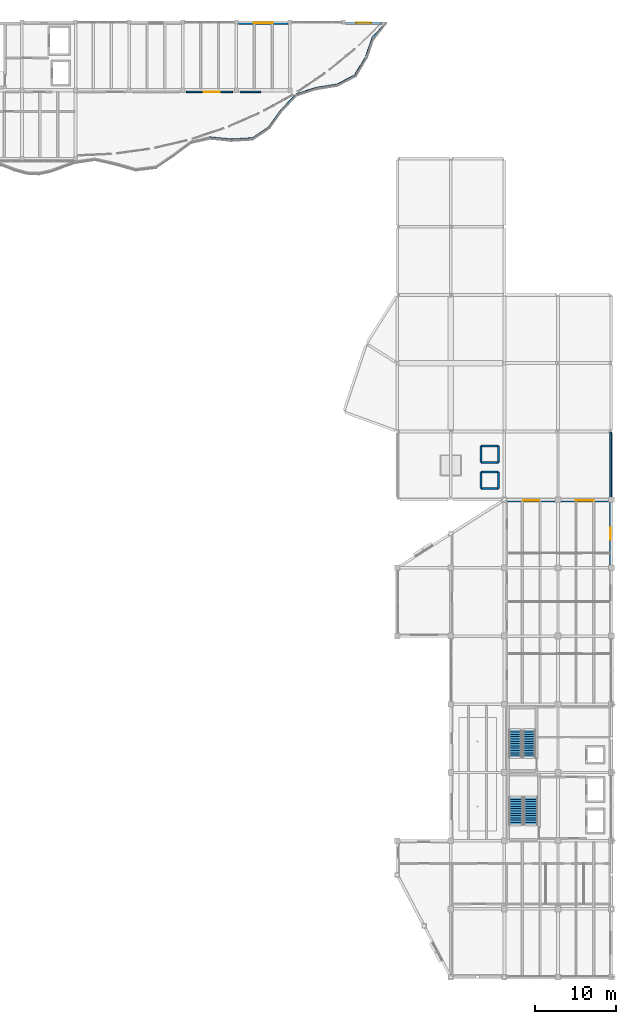
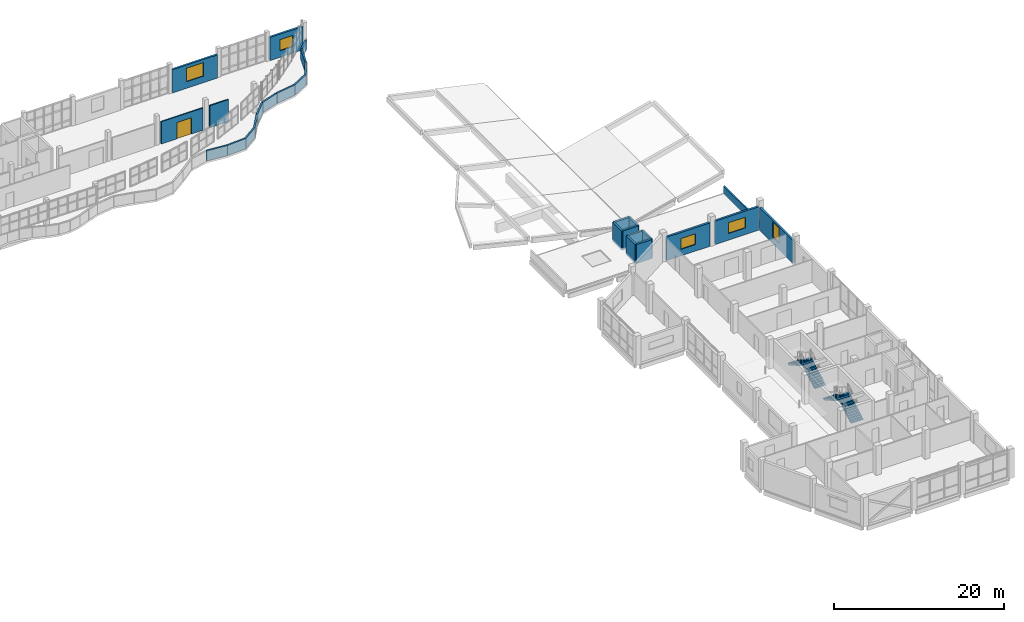
# One storey, part 40 of 47: 27 walls, 5 windows, 4 stair flights, 1 door, 6 openings, 2 elements without a shape of their own.
"""IFC4 building model written with IfcOpenShell, lengths in metres."""

from ifc_helpers import new_model, si_unit, direction, frame, frame_2d, origin, place, context, subcontext, project, spatial, polyline, rectangle, outline, extrude, material, layer, layer_set, type_object, element, fill, aggregate, save


model = new_model("IFC4")

# Units and contexts
model_context = context("Model", 3, precision=1e-05, world=origin(), true_north=direction((0.0, 1.0)))
body_context = subcontext(model_context, "Body", "Model", "MODEL_VIEW")
ifc_project = project(units=[si_unit("LENGTHUNIT", "METRE"), si_unit("AREAUNIT", "SQUARE_METRE"), si_unit("VOLUMEUNIT", "CUBIC_METRE"), si_unit("PLANEANGLEUNIT", "RADIAN"), si_unit("MASSUNIT", "GRAM", prefix="KILO")], contexts=[model_context])

# Site, building, storey
site_placement = place(None, origin())
site = spatial("IfcSite", under=ifc_project, at=site_placement, CompositionType="ELEMENT")
building_placement = place(site_placement, origin())
building = spatial("IfcBuilding", under=site, at=building_placement, Name="Qaldarim Faculty of Natural and Applied Sciences", CompositionType="ELEMENT")
storey_placement = place(building_placement, frame((0.0, 0.0, 22.800048828125)))
storey = spatial("IfcBuildingStorey", under=building, at=storey_placement, Name="L05", CompositionType="ELEMENT", Elevation=22.800048828125)

# Wall, opening, window
ifc_material_1 = material(Name="Precast concrete C40/50", Category="concrete")
ifc_layer_1 = layer(ifc_material_1, 0.280029296875)
ifc_layer_set_1 = layer_set([ifc_layer_1], Name="Precast concrete C40/50")
wall_type_1 = type_object("IfcWallType", Name="ExteriorSpandrelWall-280", PredefinedType="SOLIDWALL", material=ifc_layer_set_1)
wall_1_placement = place(storey_placement, frame((138.35498046875, 117.4599609375, 0.0), z_axis=(0.0, 0.0, 1.0), x_axis=(-1.0, 0.0, 0.0)))
wall_1 = element("IfcWall", 1, at=wall_1_placement, inside=storey, type_object=wall_type_1, Name="Exterior wall EW02 L05 N X21Y14", PredefinedType="SOLIDWALL", context=body_context, shape_type="SweptSolid", body=[
    extrude(rectangle(XDim=6.10986328125, YDim=0.280029296875, at=frame_2d((3.054931640625, 0.0))), origin(), (0.0, 0.0, 1.0), 3.344970703125),
])
opening_1_placement = place(wall_1_placement, frame((1.905029296875, 0.0, 0.949951171875)))
opening_1 = element("IfcOpeningElement", 2, at=opening_1_placement, cuts=wall_1, Name="Opening WN28", PredefinedType="OPENING", context=body_context, shape_type="SweptSolid", body=[
    extrude(rectangle(XDim=2.300048828125, YDim=1.949951171875, at=frame_2d((1.14990234375, 0.97509765625))), frame((0.0, 0.14990234375, 0.0), z_axis=(0.0, -1.0, 0.0), x_axis=(1.0, 0.0, 0.0)), (0.0, 0.0, 1.0), 0.300048828125),
])
ifc_material_2 = material(Name="Insulated low-e double glazing", Category="glass")
window_type_1 = type_object("IfcWindowType", Name="GalleryWindow-2300x1950", PartitioningType="TRIPLE_PANEL_VERTICAL", PredefinedType="WINDOW", material=ifc_material_2)
window_1_placement = place(opening_1_placement, origin())
window_1 = element("IfcWindow", 3, at=window_1_placement, inside=storey, type_object=window_type_1, Name="Facade window WN28 L05 N X21Y14", OverallHeight=1.949951171875, OverallWidth=2.300048828125, PartitioningType="SINGLE_PANEL", PredefinedType="WINDOW", context=body_context, shape_type="SweptSolid", body=[
    extrude(rectangle(XDim=2.300048828125, YDim=1.949951171875, at=frame_2d((1.14990234375, 0.97509765625))), frame((0.0, 0.030029296875, 0.0), z_axis=(0.0, -1.0, 0.0), x_axis=(1.0, 0.0, 0.0)), (0.0, 0.0, 1.0), 0.06005859375),
])
fill(opening_1, window_1)

wall_2_placement = place(storey_placement, frame((171.2548828125, 58.659912109375, 0.0), z_axis=(0.0, 0.0, 1.0), x_axis=(-1.0, 0.0, 0.0)))
wall_2 = element("IfcWall", 4, at=wall_2_placement, inside=storey, type_object=wall_type_1, Name="Exterior wall EW02 L05 N X26Y07", PredefinedType="SOLIDWALL", context=body_context, shape_type="SweptSolid", body=[
    extrude(rectangle(XDim=5.909912109375, YDim=0.280029296875, at=frame_2d((2.955078125, 0.0))), origin(), (0.0, 0.0, 1.0), 3.364990234375),
])
opening_2_placement = place(wall_2_placement, frame((1.97998046875, 0.0, 0.949951171875)))
opening_2 = element("IfcOpeningElement", 5, at=opening_2_placement, cuts=wall_2, Name="Opening WN11", PredefinedType="OPENING", context=body_context, shape_type="SweptSolid", body=[
    extrude(rectangle(XDim=1.949951171875, YDim=1.550048828125, at=frame_2d((0.97509765625, 0.77490234375))), frame((0.0, 0.14990234375, 0.0), z_axis=(0.0, -1.0, 0.0), x_axis=(1.0, 0.0, 0.0)), (0.0, 0.0, 1.0), 0.300048828125),
])
window_type_2 = type_object("IfcWindowType", Name="LabWindow-1950x1550", PartitioningType="DOUBLE_PANEL_VERTICAL", PredefinedType="WINDOW", material=ifc_material_2)
window_2_placement = place(opening_2_placement, origin())
window_2 = element("IfcWindow", 6, at=window_2_placement, inside=storey, type_object=window_type_2, Name="Facade window WN11 L05 N X26Y07", OverallHeight=1.550048828125, OverallWidth=1.949951171875, PartitioningType="SINGLE_PANEL", PredefinedType="WINDOW", context=body_context, shape_type="SweptSolid", body=[
    extrude(rectangle(XDim=1.949951171875, YDim=1.550048828125, at=frame_2d((0.97509765625, 0.77490234375))), frame((0.0, 0.030029296875, 0.0), z_axis=(0.0, -1.0, 0.0), x_axis=(1.0, 0.0, 0.0)), (0.0, 0.0, 1.0), 0.06005859375),
])
fill(opening_2, window_2)

wall_3_placement = place(storey_placement, frame((178.06005859375, 50.7451171875, 0.0), z_axis=(0.0, 0.0, 1.0), x_axis=(0.0, 1.0, 0.0)))
wall_3 = element("IfcWall", 7, at=wall_3_placement, inside=storey, type_object=wall_type_1, Name="Exterior wall EW02 L05 E X27Y07", PredefinedType="SOLIDWALL", context=body_context, shape_type="SweptSolid", body=[
    extrude(rectangle(XDim=7.7099609375, YDim=0.280029296875, at=frame_2d((3.85498046875, 0.0))), origin(), (0.0, 0.0, 1.0), 3.264892578125),
])
opening_3_placement = place(wall_3_placement, frame((3.10498046875, 0.0, 0.949951171875)))
opening_3 = element("IfcOpeningElement", 8, at=opening_3_placement, cuts=wall_3, Name="Opening WN06", PredefinedType="OPENING", context=body_context, shape_type="SweptSolid", body=[
    extrude(rectangle(XDim=1.5, YDim=2.10009765625, at=frame_2d((0.75, 1.050048828125))), frame((0.0, 0.14990234375, 0.0), z_axis=(0.0, -1.0, 0.0), x_axis=(1.0, 0.0, 0.0)), (0.0, 0.0, 1.0), 0.300048828125),
])
window_type_3 = type_object("IfcWindowType", Name="Window-1500x2100", PartitioningType="DOUBLE_PANEL_VERTICAL", PredefinedType="WINDOW", material=ifc_material_2)
window_3_placement = place(opening_3_placement, origin())
window_3 = element("IfcWindow", 9, at=window_3_placement, inside=storey, type_object=window_type_3, Name="Facade window WN06 L05 E X27Y07", OverallHeight=2.10009765625, OverallWidth=1.5, PartitioningType="SINGLE_PANEL", PredefinedType="WINDOW", context=body_context, shape_type="SweptSolid", body=[
    extrude(rectangle(XDim=1.5, YDim=2.10009765625, at=frame_2d((0.75, 1.050048828125))), frame((0.0, 0.030029296875, 0.0), z_axis=(0.0, -1.0, 0.0), x_axis=(1.0, 0.0, 0.0)), (0.0, 0.0, 1.0), 0.06005859375),
])
fill(opening_3, window_3)

wall_4_placement = place(storey_placement, frame((177.85498046875, 58.659912109375, 0.0), z_axis=(0.0, 0.0, 1.0), x_axis=(-1.0, 0.0, 0.0)))
wall_4 = element("IfcWall", 10, at=wall_4_placement, inside=storey, type_object=wall_type_1, Name="Exterior wall EW02 L05 N X27Y07", PredefinedType="SOLIDWALL", context=body_context, shape_type="SweptSolid", body=[
    extrude(rectangle(XDim=5.909912109375, YDim=0.280029296875, at=frame_2d((2.955078125, 0.0))), origin(), (0.0, 0.0, 1.0), 3.364990234375),
])
opening_4_placement = place(wall_4_placement, frame((1.830078125, 0.0, 0.949951171875)))
opening_4 = element("IfcOpeningElement", 11, at=opening_4_placement, cuts=wall_4, Name="Opening WN12", PredefinedType="OPENING", context=body_context, shape_type="SweptSolid", body=[
    extrude(rectangle(XDim=2.25, YDim=1.550048828125, at=frame_2d((1.125, 0.77490234375))), frame((0.0, 0.14990234375, 0.0), z_axis=(0.0, -1.0, 0.0), x_axis=(1.0, 0.0, 0.0)), (0.0, 0.0, 1.0), 0.300048828125),
])
window_type_4 = type_object("IfcWindowType", Name="LabWindow-2250x1550", PartitioningType="TRIPLE_PANEL_VERTICAL", PredefinedType="WINDOW", material=ifc_material_2)
window_4_placement = place(opening_4_placement, origin())
window_4 = element("IfcWindow", 12, at=window_4_placement, inside=storey, type_object=window_type_4, Name="Facade window WN12 L05 N X27Y07", OverallHeight=1.550048828125, OverallWidth=2.25, PartitioningType="SINGLE_PANEL", PredefinedType="WINDOW", context=body_context, shape_type="SweptSolid", body=[
    extrude(rectangle(XDim=2.25, YDim=1.550048828125, at=frame_2d((1.125, 0.77490234375))), frame((0.0, 0.030029296875, 0.0), z_axis=(0.0, -1.0, 0.0), x_axis=(1.0, 0.0, 0.0)), (0.0, 0.0, 1.0), 0.06005859375),
])
fill(opening_4, window_4)

wall_5_placement = place(storey_placement, frame((149.929931640625, 117.4599609375, 0.0), z_axis=(0.0, 0.0, 1.0), x_axis=(-1.0, 0.0, 0.0)))
wall_5 = element("IfcWall", 13, at=wall_5_placement, inside=storey, type_object=wall_type_1, Name="Laboratories NE corner facade wall L05", PredefinedType="SOLIDWALL", context=body_context, shape_type="SweptSolid", body=[
    extrude(rectangle(XDim=4.48486328125, YDim=0.280029296875, at=frame_2d((2.242431640625, 0.0))), origin(), (0.0, 0.0, 1.0), 3.344970703125),
])
opening_5_placement = place(wall_5_placement, frame((1.344970703125, 0.0, 0.949951171875)))
opening_5 = element("IfcOpeningElement", 14, at=opening_5_placement, cuts=wall_5, Name="Opening WN02", PredefinedType="OPENING", context=body_context, shape_type="SweptSolid", body=[
    extrude(rectangle(XDim=1.800048828125, YDim=1.60009765625, at=frame_2d((0.89990234375, 0.800048828125))), frame((0.0, 0.14990234375, 0.0), z_axis=(0.0, -1.0, 0.0), x_axis=(1.0, 0.0, 0.0)), (0.0, 0.0, 1.0), 0.300048828125),
])
window_type_5 = type_object("IfcWindowType", Name="Window-1800x1600", PartitioningType="DOUBLE_PANEL_VERTICAL", PredefinedType="WINDOW", material=ifc_material_2)
window_5_placement = place(opening_5_placement, origin())
window_5 = element("IfcWindow", 15, at=window_5_placement, inside=storey, type_object=window_type_5, Name="Laboratories NE corner window L05", OverallHeight=1.60009765625, OverallWidth=1.800048828125, PartitioningType="SINGLE_PANEL", PredefinedType="WINDOW", context=body_context, shape_type="SweptSolid", body=[
    extrude(rectangle(XDim=1.800048828125, YDim=1.60009765625, at=frame_2d((0.89990234375, 0.800048828125))), frame((0.0, 0.030029296875, 0.0), z_axis=(0.0, -1.0, 0.0), x_axis=(1.0, 0.0, 0.0)), (0.0, 0.0, 1.0), 0.06005859375),
])
fill(opening_5, window_5)

# Wall, opening, door
ifc_material_3 = material(Name="Concrete C40/50", Category="concrete")
ifc_layer_2 = layer(ifc_material_3, 0.159912109375)
ifc_layer_set_2 = layer_set([ifc_layer_2], Name="Concrete C40/50")
wall_type_2 = type_object("IfcWallType", Name="FireCorridorWall-160", PredefinedType="PARTITIONING", material=ifc_layer_set_2)
wall_6_placement = place(storey_placement, frame((125.85009765625, 109.0, 0.0), z_axis=(0.0, 0.0, 1.0), x_axis=(1.0, 0.0, 0.0)))
wall_6 = element("IfcWall", 16, at=wall_6_placement, inside=storey, type_object=wall_type_2, Name="Interior partition PRT-L05-V4-CORSE-S3", PredefinedType="PARTITIONING", context=body_context, shape_type="SweptSolid", body=[
    extrude(rectangle(XDim=5.699951171875, YDim=0.159912109375, at=frame_2d((2.85009765625, 0.0))), origin(), (0.0, 0.0, 1.0), 3.195068359375),
])
opening_6_placement = place(wall_6_placement, frame((2.14990234375, 0.0, 0.0)))
opening_6 = element("IfcOpeningElement", 17, at=opening_6_placement, cuts=wall_6, Name="Opening ID13", PredefinedType="OPENING", context=body_context, shape_type="SweptSolid", body=[
    extrude(rectangle(XDim=1.949951171875, YDim=2.35009765625, at=frame_2d((0.97509765625, 1.175048828125))), frame((0.0, 0.08984375, 0.0), z_axis=(0.0, -1.0, 0.0), x_axis=(1.0, 0.0, 0.0)), (0.0, 0.0, 1.0), 0.179931640625),
])
ifc_material_4 = material(Name="Oak hardwood", Category="wood")
door_type = type_object("IfcDoorType", Name="SymposiumDoubleDoor-1950x2350", OperationType="NOTDEFINED", PredefinedType="DOOR", material=ifc_material_4)
door_placement = place(opening_6_placement, origin())
door = element("IfcDoor", 18, at=door_placement, inside=storey, type_object=door_type, Name="Interior door D-L05-259", OperationType="SINGLE_SWING_RIGHT", OverallHeight=2.35009765625, OverallWidth=1.949951171875, PredefinedType="DOOR", context=body_context, shape_type="SweptSolid", body=[
    extrude(rectangle(XDim=1.949951171875, YDim=2.35009765625, at=frame_2d((0.97509765625, 1.175048828125))), frame((0.0, 0.02490234375, 0.0), z_axis=(0.0, -1.0, 0.0), x_axis=(1.0, 0.0, 0.0)), (0.0, 0.0, 1.0), 0.050048828125),
])
fill(opening_6, door)

# Walls
wall_7_placement = place(storey_placement, frame((132.449951171875, 109.0, 0.0), z_axis=(0.0, 0.0, 1.0), x_axis=(1.0, 0.0, 0.0)))
element("IfcWall", 19, at=wall_7_placement, inside=storey, type_object=wall_type_2, Name="Interior partition PRT-L05-V4-CORSE-S4", PredefinedType="PARTITIONING", context=body_context, shape_type="SweptSolid", body=[
    extrude(rectangle(XDim=2.550048828125, YDim=0.159912109375, at=frame_2d((1.27490234375, 0.0))), origin(), (0.0, 0.0, 1.0), 3.195068359375),
])
ifc_layer_3 = layer(ifc_material_3, 0.25)
ifc_layer_set_3 = layer_set([ifc_layer_3], Name="Concrete C40/50")
wall_type_3 = type_object("IfcWallType", Name="LiftShaftWall-250", PredefinedType="SHEAR", material=ifc_layer_set_3)
for number, where, z_axis, x_axis, name in (
    (20, (162.125, 60.175048828125, -0.239990234375), (0.0, 0.0, 1.0), (0.0, 1.0, 0.0), "Lift LF-C1 overrun wall W"),
    (21, (164.27490234375, 60.175048828125, -0.239990234375), (0.0, 0.0, 1.0), (0.0, 1.0, 0.0), "Lift LF-C1 overrun wall E"),
):
    element("IfcWall", number, at=place(storey_placement, frame(where, z_axis=z_axis, x_axis=x_axis)), inside=storey, type_object=wall_type_3, Name=name, PredefinedType="SHEAR", context=body_context, shape_type="SweptSolid", body=[
        extrude(rectangle(XDim=2.050048828125, YDim=0.25, at=frame_2d((1.02490234375, 0.0))), origin(), (0.0, 0.0, 1.0), 2.739990234375),
    ])
for number, where, z_axis, x_axis, name in (
    (22, (162.125, 60.175048828125, -0.239990234375), (0.0, 0.0, 1.0), (1.0, 0.0, 0.0), "Lift LF-C1 overrun wall S"),
    (23, (162.125, 62.22509765625, -0.239990234375), (0.0, 0.0, 1.0), (1.0, 0.0, 0.0), "Lift LF-C1 overrun wall N"),
):
    element("IfcWall", number, at=place(storey_placement, frame(where, z_axis=z_axis, x_axis=x_axis)), inside=storey, type_object=wall_type_3, Name=name, PredefinedType="SHEAR", context=body_context, shape_type="SweptSolid", body=[
        extrude(rectangle(XDim=2.14990234375, YDim=0.25, at=frame_2d((1.074951171875, 0.0))), origin(), (0.0, 0.0, 1.0), 2.739990234375),
    ])
for number, where, z_axis, x_axis, name in (
    (24, (162.125, 63.375, -0.239990234375), (0.0, 0.0, 1.0), (0.0, 1.0, 0.0), "Lift LF-C2 overrun wall W"),
    (25, (164.27490234375, 63.375, -0.239990234375), (0.0, 0.0, 1.0), (0.0, 1.0, 0.0), "Lift LF-C2 overrun wall E"),
):
    element("IfcWall", number, at=place(storey_placement, frame(where, z_axis=z_axis, x_axis=x_axis)), inside=storey, type_object=wall_type_3, Name=name, PredefinedType="SHEAR", context=body_context, shape_type="SweptSolid", body=[
        extrude(rectangle(XDim=2.050048828125, YDim=0.25, at=frame_2d((1.02490234375, 0.0))), origin(), (0.0, 0.0, 1.0), 2.739990234375),
    ])
for number, where, z_axis, x_axis, name in (
    (26, (162.125, 63.375, -0.239990234375), (0.0, 0.0, 1.0), (1.0, 0.0, 0.0), "Lift LF-C2 overrun wall S"),
    (27, (162.125, 65.425048828125, -0.239990234375), (0.0, 0.0, 1.0), (1.0, 0.0, 0.0), "Lift LF-C2 overrun wall N"),
):
    element("IfcWall", number, at=place(storey_placement, frame(where, z_axis=z_axis, x_axis=x_axis)), inside=storey, type_object=wall_type_3, Name=name, PredefinedType="SHEAR", context=body_context, shape_type="SweptSolid", body=[
        extrude(rectangle(XDim=2.14990234375, YDim=0.25, at=frame_2d((1.074951171875, 0.0))), origin(), (0.0, 0.0, 1.0), 2.739990234375),
    ])
ifc_material_5 = material(Name="White architectural precast concrete C40/50", Category="concrete")
ifc_layer_4 = layer(ifc_material_5, 0.199951171875)
ifc_layer_set_4 = layer_set([ifc_layer_4], Name="White architectural precast concrete C40/50")
wall_type_4 = type_object("IfcWallType", Name="RoofParapetWall-200", PredefinedType="PARAPET", material=ifc_layer_set_4)
wall_8_placement = place(storey_placement, frame((178.10009765625, 58.89990234375, 0.0), z_axis=(0.0, 0.0, 1.0), x_axis=(0.0, 1.0, 0.0)))
element("IfcWall", 28, at=wall_8_placement, inside=storey, type_object=wall_type_4, Name="Roof parapet PAR-L05-V3-E-C", PredefinedType="PARAPET", context=body_context, shape_type="SweptSolid", body=[
    extrude(rectangle(XDim=8.2001953125, YDim=0.199951171875, at=frame_2d((4.10009765625, 0.0))), origin(), (0.0, 0.0, 1.0), 1.099853515625),
])
ifc_layer_5 = layer(ifc_material_5, 0.219970703125)
ifc_layer_set_5 = layer_set([ifc_layer_5], Name="White architectural precast concrete C40/50")
wall_type_5 = type_object("IfcWallType", Name="WhitePrecastWaveBand-220", PredefinedType="SOLIDWALL", material=ifc_layer_set_5)
wall_9_placement = place(storey_placement, frame((128.739990234375, 103.35009765625, 0.0), z_axis=(0.0, 0.0, 1.0), x_axis=(0.995141654496, -0.0984534788, 0.0)))
element("IfcWall", 29, at=wall_9_placement, inside=storey, type_object=wall_type_5, Name="White precast wave spandrel band L05 chord 43", PredefinedType="SOLIDWALL", context=body_context, shape_type="SweptSolid", body=[
    extrude(rectangle(XDim=2.693115234375, YDim=0.219970703125, at=frame_2d((1.3466796875, 0.0))), origin(), (0.0, 0.0, 1.0), 1.449951171875),
])
wall_10_placement = place(storey_placement, frame((131.39501953125, 103.0849609375, 0.0), z_axis=(0.0, 0.0, 1.0), x_axis=(0.998122422816, 0.061250543439, 0.0)))
element("IfcWall", 30, at=wall_10_placement, inside=storey, type_object=wall_type_5, Name="White precast wave spandrel band L05 chord 44", PredefinedType="SOLIDWALL", context=body_context, shape_type="SweptSolid", body=[
    extrude(rectangle(XDim=2.61474609375, YDim=0.219970703125, at=frame_2d((1.307373046875, 0.0))), origin(), (0.0, 0.0, 1.0), 1.449951171875),
])
wall_11_placement = place(storey_placement, frame((133.93505859375, 103.219970703125, 0.0), z_axis=(0.0, 0.0, 1.0), x_axis=(0.826787481952, 0.562514408427, 0.0)))
element("IfcWall", 31, at=wall_11_placement, inside=storey, type_object=wall_type_5, Name="White precast wave spandrel band L05 chord 45", PredefinedType="SOLIDWALL", context=body_context, shape_type="SweptSolid", body=[
    extrude(rectangle(XDim=2.515625, YDim=0.219970703125, at=frame_2d((1.2578125, 0.0))), origin(), (0.0, 0.0, 1.0), 1.449951171875),
])
wall_12_placement = place(storey_placement, frame((135.97998046875, 104.60009765625, 0.0), z_axis=(0.0, 0.0, 1.0), x_axis=(0.588522958724, 0.808480505056, 0.0)))
element("IfcWall", 32, at=wall_12_placement, inside=storey, type_object=wall_type_5, Name="White precast wave spandrel band L05 chord 46", PredefinedType="SOLIDWALL", context=body_context, shape_type="SweptSolid", body=[
    extrude(rectangle(XDim=2.72705078125, YDim=0.219970703125, at=frame_2d((1.363525390625, 0.0))), origin(), (0.0, 0.0, 1.0), 1.449951171875),
])
wall_13_placement = place(storey_placement, frame((137.60009765625, 106.824951171875, 0.0), z_axis=(0.0, 0.0, 1.0), x_axis=(0.698992065981, 0.715129423038, 0.0)))
element("IfcWall", 33, at=wall_13_placement, inside=storey, type_object=wall_type_5, Name="White precast wave spandrel band L05 chord 47", PredefinedType="SOLIDWALL", context=body_context, shape_type="SweptSolid", body=[
    extrude(rectangle(XDim=2.496337890625, YDim=0.219970703125, at=frame_2d((1.248046875, 0.0))), origin(), (0.0, 0.0, 1.0), 1.449951171875),
])
wall_14_placement = place(storey_placement, frame((139.39990234375, 108.64501953125, 0.0), z_axis=(0.0, 0.0, 1.0), x_axis=(0.948693132685, 0.316198260583, 0.0)))
element("IfcWall", 34, at=wall_14_placement, inside=storey, type_object=wall_type_5, Name="White precast wave spandrel band L05 chord 48", PredefinedType="SOLIDWALL", context=body_context, shape_type="SweptSolid", body=[
    extrude(rectangle(XDim=2.482421875, YDim=0.219970703125, at=frame_2d((1.2412109375, 0.0))), origin(), (0.0, 0.0, 1.0), 1.449951171875),
])
wall_15_placement = place(storey_placement, frame((141.780029296875, 109.43505859375, 0.0), z_axis=(0.0, 0.0, 1.0), x_axis=(0.987219797372, 0.159364587274, 0.0)))
element("IfcWall", 35, at=wall_15_placement, inside=storey, type_object=wall_type_5, Name="White precast wave spandrel band L05 chord 49", PredefinedType="SOLIDWALL", context=body_context, shape_type="SweptSolid", body=[
    extrude(rectangle(XDim=2.72998046875, YDim=0.219970703125, at=frame_2d((1.364990234375, 0.0))), origin(), (0.0, 0.0, 1.0), 1.449951171875),
])
wall_16_placement = place(storey_placement, frame((144.429931640625, 109.85498046875, 0.0), z_axis=(0.0, 0.0, 1.0), x_axis=(0.883053125192, 0.469273031496, 0.0)))
element("IfcWall", 36, at=wall_16_placement, inside=storey, type_object=wall_type_5, Name="White precast wave spandrel band L05 chord 50", PredefinedType="SOLIDWALL", context=body_context, shape_type="SweptSolid", body=[
    extrude(rectangle(XDim=2.525390625, YDim=0.219970703125, at=frame_2d((1.2626953125, 0.0))), origin(), (0.0, 0.0, 1.0), 1.449951171875),
])
wall_17_placement = place(storey_placement, frame((146.60498046875, 110.985107421875, 0.0), z_axis=(0.0, 0.0, 1.0), x_axis=(0.516465892045, 0.85630776147, 0.0)))
element("IfcWall", 37, at=wall_17_placement, inside=storey, type_object=wall_type_5, Name="White precast wave spandrel band L05 chord 51", PredefinedType="SOLIDWALL", context=body_context, shape_type="SweptSolid", body=[
    extrude(rectangle(XDim=2.604248046875, YDim=0.219970703125, at=frame_2d((1.30224609375, 0.0))), origin(), (0.0, 0.0, 1.0), 1.449951171875),
])
wall_18_placement = place(storey_placement, frame((147.93994140625, 113.18994140625, 0.0), z_axis=(0.0, 0.0, 1.0), x_axis=(0.331589284512, 0.943423842394, 0.0)))
element("IfcWall", 38, at=wall_18_placement, inside=storey, type_object=wall_type_5, Name="White precast wave spandrel band L05 chord 52", PredefinedType="SOLIDWALL", context=body_context, shape_type="SweptSolid", body=[
    extrude(rectangle(XDim=2.729248046875, YDim=0.219970703125, at=frame_2d((1.36474609375, 0.0))), origin(), (0.0, 0.0, 1.0), 1.449951171875),
])
wall_19_placement = place(storey_placement, frame((148.864990234375, 115.804931640625, 0.0), z_axis=(0.0, 0.0, 1.0), x_axis=(0.696542335377, 0.717515696712, 0.0)))
element("IfcWall", 39, at=wall_19_placement, inside=storey, type_object=wall_type_5, Name="White precast wave spandrel band L05 chord 53", PredefinedType="SOLIDWALL", context=body_context, shape_type="SweptSolid", body=[
    extrude(rectangle(XDim=2.153564453125, YDim=0.219970703125, at=frame_2d((1.07666015625, 0.0))), origin(), (0.0, 0.0, 1.0), 1.449951171875),
])

# Stair, stair flights
stair_type_1 = type_object("IfcStairType", Name="DoglegStair-W1500-H4200-26R", PredefinedType="HALF_TURN_STAIR", material=ifc_material_3)
stair_1_placement = place(storey_placement, origin())
stair_1 = element("IfcStair", 40, at=stair_1_placement, inside=storey, type_object=stair_type_1, Name="Enclosed exit stair ST-A2 L05", PredefinedType="HALF_TURN_STAIR")
stair_flight_type_1 = type_object("IfcStairFlightType", Name="StairFlight-W1500-13R", PredefinedType="STRAIGHT", material=ifc_material_3)
stair_flight_1_placement = place(storey_placement, frame((168.050048828125, 27.050048828125, 0.0), z_axis=(0.0, 0.0, 1.0), x_axis=(0.0, 1.0, 0.0)))
stair_flight_1 = element("IfcStairFlight", 41, at=stair_flight_1_placement, type_object=stair_flight_type_1, Name="ST-A2 L05 flight 1", NumberOfRisers=13, NumberOfTreads=12, PredefinedType="STRAIGHT", RiserHeight=0.161538462, TreadLength=0.285, context=body_context, shape_type="SweptSolid", body=[
    extrude(outline(polyline([(0.0, 0.0), (0.0, 0.16162109375), (0.284912109375, 0.16162109375), (0.284912109375, 0.322998046875), (0.570068359375, 0.322998046875), (0.570068359375, 0.484619140625), (0.85498046875, 0.484619140625), (0.85498046875, 0.646240234375), (1.139892578125, 0.646240234375), (1.139892578125, 0.8076171875), (1.425048828125, 0.8076171875), (1.425048828125, 0.96923828125), (1.7099609375, 0.96923828125), (1.7099609375, 1.130859375), (1.9951171875, 1.130859375), (1.9951171875, 1.292236328125), (2.280029296875, 1.292236328125), (2.280029296875, 1.453857421875), (2.56494140625, 1.453857421875), (2.56494140625, 1.615478515625), (2.85009765625, 1.615478515625), (2.85009765625, 1.77685546875), (3.135009765625, 1.77685546875), (3.135009765625, 1.9384765625), (3.419921875, 1.9384765625), (3.419921875, 2.10009765625), (3.419921875, 1.76611328125), (0.303955078125, 0.0), (0.0, 0.0)])), frame((0.0, 0.75, 0.0), z_axis=(0.0, -1.0, 0.0), x_axis=(1.0, 0.0, 0.0)), (0.0, 0.0, 1.0), 1.5),
])
stair_flight_2_placement = place(storey_placement, frame((166.35009765625, 30.469970703125, 2.099853515625), z_axis=(0.0, 0.0, 1.0), x_axis=(0.0, -1.0, 0.0)))
stair_flight_2 = element("IfcStairFlight", 42, at=stair_flight_2_placement, type_object=stair_flight_type_1, Name="ST-A2 L05 flight 2", NumberOfRisers=13, NumberOfTreads=12, PredefinedType="STRAIGHT", RiserHeight=0.161538462, TreadLength=0.285, context=body_context, shape_type="SweptSolid", body=[
    extrude(outline(polyline([(0.0, 0.0), (0.0, 0.16162109375), (0.284912109375, 0.16162109375), (0.284912109375, 0.322998046875), (0.570068359375, 0.322998046875), (0.570068359375, 0.484619140625), (0.85498046875, 0.484619140625), (0.85498046875, 0.646240234375), (1.139892578125, 0.646240234375), (1.139892578125, 0.8076171875), (1.425048828125, 0.8076171875), (1.425048828125, 0.96923828125), (1.7099609375, 0.96923828125), (1.7099609375, 1.130859375), (1.9951171875, 1.130859375), (1.9951171875, 1.292236328125), (2.280029296875, 1.292236328125), (2.280029296875, 1.453857421875), (2.56494140625, 1.453857421875), (2.56494140625, 1.615478515625), (2.85009765625, 1.615478515625), (2.85009765625, 1.77685546875), (3.135009765625, 1.77685546875), (3.135009765625, 1.9384765625), (3.419921875, 1.9384765625), (3.419921875, 2.10009765625), (3.419921875, 1.76611328125), (0.303955078125, 0.0), (0.0, 0.0)])), frame((0.0, 0.75, 0.0), z_axis=(0.0, -1.0, 0.0), x_axis=(1.0, 0.0, 0.0)), (0.0, 0.0, 1.0), 1.5),
])
aggregate(stair_1, [stair_flight_1, stair_flight_2])

stair_type_2 = type_object("IfcStairType", Name="DoglegStair-W1650-H4200-26R", PredefinedType="HALF_TURN_STAIR", material=ifc_material_3)
stair_2_placement = place(storey_placement, origin())
stair_2 = element("IfcStair", 43, at=stair_2_placement, inside=storey, type_object=stair_type_2, Name="Enclosed exit stair ST-A1 L05", PredefinedType="HALF_TURN_STAIR")
stair_flight_type_2 = type_object("IfcStairFlightType", Name="StairFlight-W1650-13R", PredefinedType="STRAIGHT", material=ifc_material_3)
stair_flight_3_placement = place(storey_placement, frame((168.27490234375, 18.75, 0.0), z_axis=(0.0, 0.0, 1.0), x_axis=(0.0, 1.0, 0.0)))
stair_flight_3 = element("IfcStairFlight", 44, at=stair_flight_3_placement, type_object=stair_flight_type_2, Name="ST-A1 L05 flight 1", NumberOfRisers=13, NumberOfTreads=12, PredefinedType="STRAIGHT", RiserHeight=0.161538462, TreadLength=0.285, context=body_context, shape_type="SweptSolid", body=[
    extrude(outline(polyline([(0.0, 0.0), (0.0, 0.16162109375), (0.284912109375, 0.16162109375), (0.284912109375, 0.322998046875), (0.570068359375, 0.322998046875), (0.570068359375, 0.484619140625), (0.85498046875, 0.484619140625), (0.85498046875, 0.646240234375), (1.139892578125, 0.646240234375), (1.139892578125, 0.8076171875), (1.425048828125, 0.8076171875), (1.425048828125, 0.96923828125), (1.7099609375, 0.96923828125), (1.7099609375, 1.130859375), (1.9951171875, 1.130859375), (1.9951171875, 1.292236328125), (2.280029296875, 1.292236328125), (2.280029296875, 1.453857421875), (2.56494140625, 1.453857421875), (2.56494140625, 1.615478515625), (2.85009765625, 1.615478515625), (2.85009765625, 1.77685546875), (3.135009765625, 1.77685546875), (3.135009765625, 1.9384765625), (3.419921875, 1.9384765625), (3.419921875, 2.10009765625), (3.419921875, 1.76611328125), (0.303955078125, 0.0), (0.0, 0.0)])), frame((0.0, 0.824951171875, 0.0), z_axis=(0.0, -1.0, 0.0), x_axis=(1.0, 0.0, 0.0)), (0.0, 0.0, 1.0), 1.64990234375),
])
stair_flight_4_placement = place(storey_placement, frame((166.425048828125, 22.169921875, 2.099853515625), z_axis=(0.0, 0.0, 1.0), x_axis=(0.0, -1.0, 0.0)))
stair_flight_4 = element("IfcStairFlight", 45, at=stair_flight_4_placement, type_object=stair_flight_type_2, Name="ST-A1 L05 flight 2", NumberOfRisers=13, NumberOfTreads=12, PredefinedType="STRAIGHT", RiserHeight=0.161538462, TreadLength=0.285, context=body_context, shape_type="SweptSolid", body=[
    extrude(outline(polyline([(0.0, 0.0), (0.0, 0.16162109375), (0.284912109375, 0.16162109375), (0.284912109375, 0.322998046875), (0.570068359375, 0.322998046875), (0.570068359375, 0.484619140625), (0.85498046875, 0.484619140625), (0.85498046875, 0.646240234375), (1.139892578125, 0.646240234375), (1.139892578125, 0.8076171875), (1.425048828125, 0.8076171875), (1.425048828125, 0.96923828125), (1.7099609375, 0.96923828125), (1.7099609375, 1.130859375), (1.9951171875, 1.130859375), (1.9951171875, 1.292236328125), (2.280029296875, 1.292236328125), (2.280029296875, 1.453857421875), (2.56494140625, 1.453857421875), (2.56494140625, 1.615478515625), (2.85009765625, 1.615478515625), (2.85009765625, 1.77685546875), (3.135009765625, 1.77685546875), (3.135009765625, 1.9384765625), (3.419921875, 1.9384765625), (3.419921875, 2.10009765625), (3.419921875, 1.76611328125), (0.303955078125, 0.0), (0.0, 0.0)])), frame((0.0, 0.824951171875, 0.0), z_axis=(0.0, -1.0, 0.0), x_axis=(1.0, 0.0, 0.0)), (0.0, 0.0, 1.0), 1.64990234375),
])
aggregate(stair_2, [stair_flight_3, stair_flight_4])

save(model, "model.ifc")
